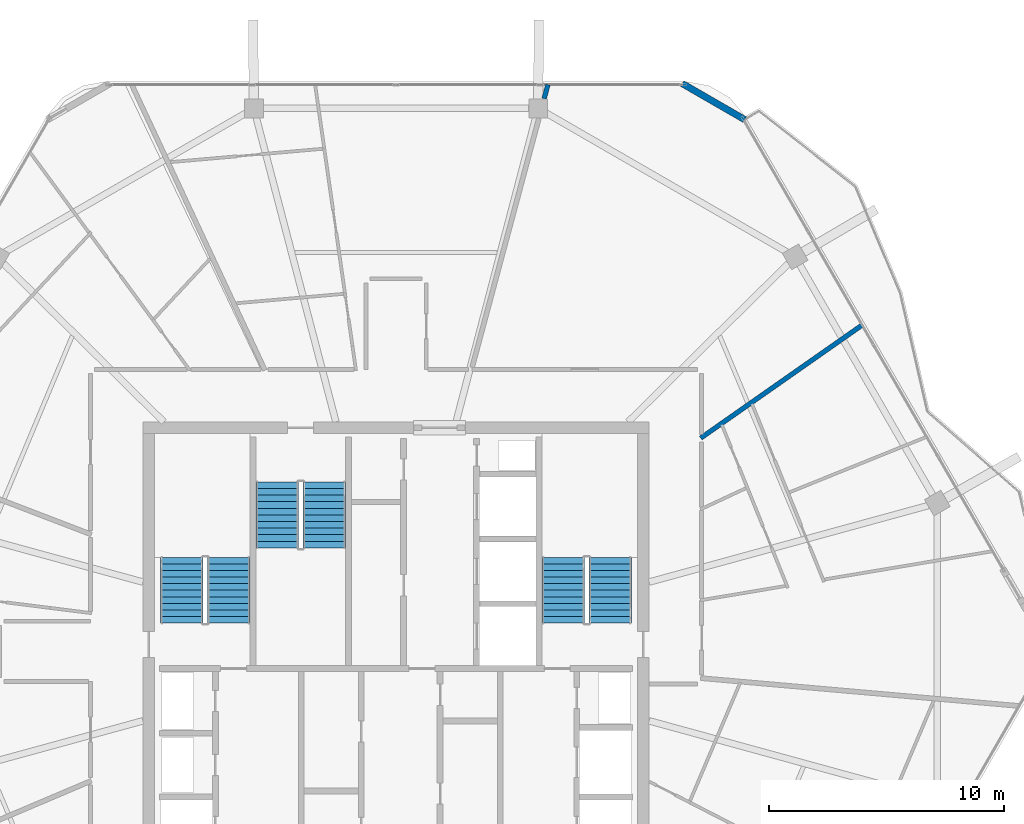
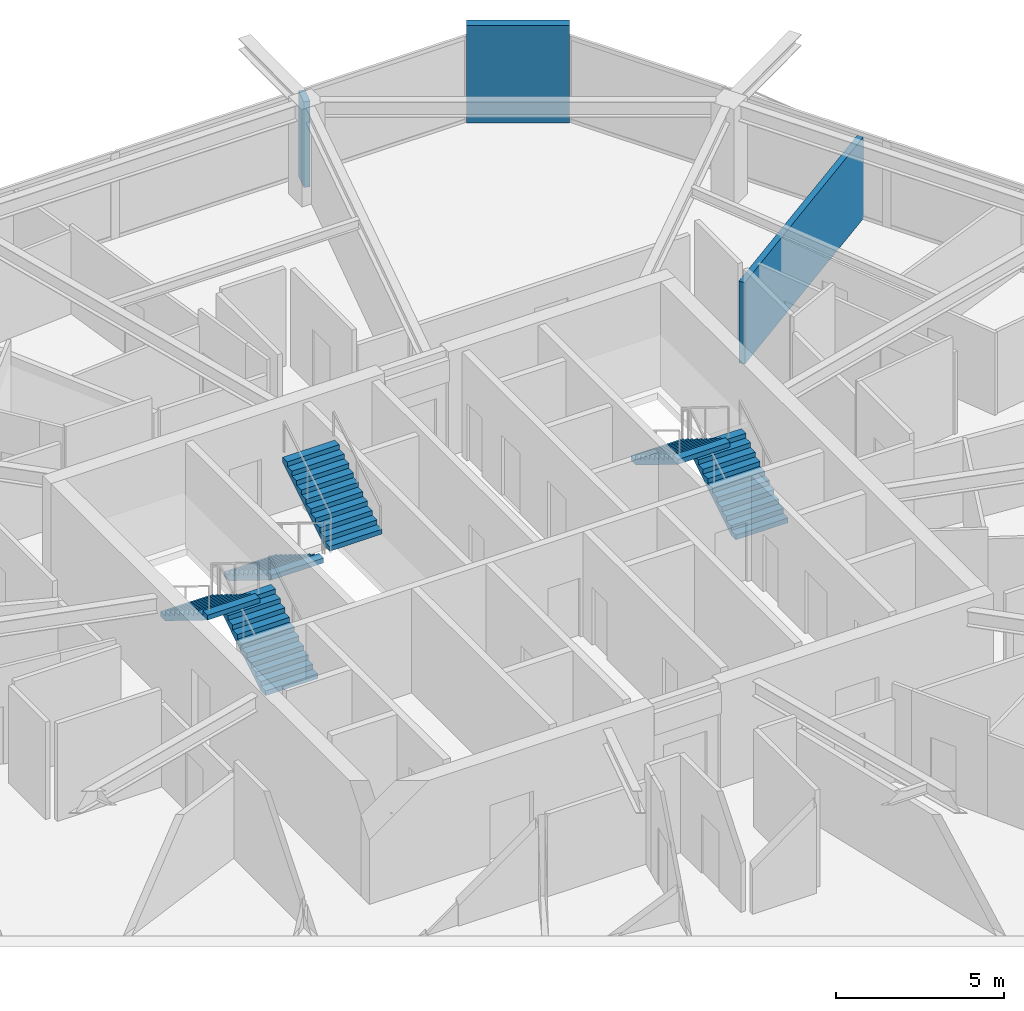
# One storey, part 18 of 21: 6 stair flights, 3 walls, 3 elements without a shape of their own.
"""IFC4 building model written with IfcOpenShell, lengths in metres."""

import ifcopenshell
import ifcopenshell.guid

model = None  # the IFC model being written
_history = None  # IfcOwnerHistory: only IFC2X3 demands one
_inside = {}  # id of a spatial element -> (the spatial element, [elements in it])
_under = {}  # id of a project, library or spatial element -> (it, [spatial elements below it])
_declared = {}  # id of a project -> (the project, [libraries it declares])
_typed = {}  # id of a type object -> (the type object, [elements of that type])
_made_of = {}  # id of a material, layer set ... -> (it, [elements and type objects made of it])


def new_model(schema):
    """Start an empty IFC model of exactly this schema.

    Asked for "IFC4X3", IfcOpenShell would pick the latest addendum, in which some entities
    have other attributes; the version numbers below select the first issue.
    IFC2X3 requires an IfcOwnerHistory on every rooted entity: one is made here for all.
    """
    global model, _history
    if schema == "IFC4X3":
        model = ifcopenshell.file(schema_version=(4, 3, 0, 0))
    else:
        model = ifcopenshell.file(schema=schema)
    _inside.clear()
    _under.clear()
    _declared.clear()
    _typed.clear()
    _made_of.clear()
    _history = None
    if model.schema == "IFC2X3":
        org = make("IfcOrganization", Name="unknown")
        user = make(
            "IfcPersonAndOrganization",
            ThePerson=make("IfcPerson", FamilyName="unknown"),
            TheOrganization=org,
        )
        app = make(
            "IfcApplication",
            ApplicationDeveloper=org,
            Version="unknown",
            ApplicationFullName="unknown",
            ApplicationIdentifier="unknown",
        )
        _history = make(
            "IfcOwnerHistory",
            OwningUser=user,
            OwningApplication=app,
            ChangeAction="ADDED",
            CreationDate=0,
        )
    return model


def make(cls, **values):
    """One entity of the class cls with the attributes given. An attribute that is None is left unset."""
    return model.create_entity(
        cls, **{name: value for name, value in values.items() if value is not None}
    )


def rooted(cls, **values):
    """An entity with a GlobalId (a new one), such as an element, a storey or a relation."""
    return make(cls, GlobalId=ifcopenshell.guid.new(), OwnerHistory=_history, **values)


def si_unit(unit_type, name, prefix=None):
    """IfcSIUnit, for example si_unit("LENGTHUNIT", "METRE", prefix="MILLI")."""
    return make("IfcSIUnit", UnitType=unit_type, Prefix=prefix, Name=name)


def assignment(units):
    """IfcUnitAssignment: the units of a project."""
    return None if units is None else make("IfcUnitAssignment", Units=units)


def point(xyz):
    """IfcCartesianPoint."""
    return None if xyz is None else make("IfcCartesianPoint", Coordinates=xyz)


def direction(xyz):
    """IfcDirection."""
    return None if xyz is None else make("IfcDirection", DirectionRatios=xyz)


def frame(location, z_axis=None, x_axis=None):
    """IfcAxis2Placement3D, a coordinate frame: its origin and axes. An axis left out is left unset."""
    return make(
        "IfcAxis2Placement3D",
        Location=point(location),
        Axis=direction(z_axis),
        RefDirection=direction(x_axis),
    )


def frame_2d(location, x_axis=None):
    """IfcAxis2Placement2D, a coordinate frame in the plane: its origin and x axis."""
    return make(
        "IfcAxis2Placement2D", Location=point(location), RefDirection=direction(x_axis)
    )


def origin():
    """The frame at (0, 0, 0) with its axes left unset."""
    return frame((0.0, 0.0, 0.0))


def place(relative_to, where):
    """IfcLocalPlacement: puts the frame where relative to a parent placement (None: the world)."""
    return make(
        "IfcLocalPlacement", PlacementRelTo=relative_to, RelativePlacement=where
    )


def context(
    kind, dimensions, precision=None, world=None, true_north=None, identifier=None
):
    """IfcGeometricRepresentationContext, for example the 3D "Model" context."""
    return make(
        "IfcGeometricRepresentationContext",
        ContextIdentifier=identifier,
        ContextType=kind,
        CoordinateSpaceDimension=dimensions,
        Precision=precision,
        WorldCoordinateSystem=world,
        TrueNorth=true_north,
    )


def subcontext(parent, identifier, kind, view, scale=None):
    """IfcGeometricRepresentationSubContext, for example "Body" below "Model"."""
    return make(
        "IfcGeometricRepresentationSubContext",
        ContextIdentifier=identifier,
        ContextType=kind,
        ParentContext=parent,
        TargetScale=scale,
        TargetView=view,
    )


def project(units=None, contexts=None):
    """IfcProject with its units and contexts."""
    return rooted(
        "IfcProject",
        Name="project",
        RepresentationContexts=contexts,
        UnitsInContext=assignment(units),
    )


def spatial(cls, under=None, at=None, **own):
    """A site, building, storey or space (cls), placed at a placement, below another one or the project."""
    s = rooted(cls, ObjectPlacement=at, **own)
    if under is not None:
        _under.setdefault(under.id(), (under, []))[1].append(s)
    return s


def polyline(points):
    """IfcPolyline through the points."""
    return make("IfcPolyline", Points=[point(p) for p in points])


def profile(cls, at=None, kind="AREA", **sizes):
    """A parametric profile (cls). Its sizes go by their IFC names, for example OverallWidth=200.0."""
    return make(cls, ProfileType=kind, Position=at, **sizes)


def rectangle(**sizes):
    """IfcRectangleProfileDef."""
    return profile("IfcRectangleProfileDef", **sizes)


def outline(outer, holes=None, kind="AREA"):
    """IfcArbitraryClosedProfileDef: a profile drawn as a closed curve; with holes, ...WithVoids."""
    if holes is None:
        return make("IfcArbitraryClosedProfileDef", ProfileType=kind, OuterCurve=outer)
    return make(
        "IfcArbitraryProfileDefWithVoids",
        ProfileType=kind,
        OuterCurve=outer,
        InnerCurves=holes,
    )


def extrude(swept, where, along, depth):
    """IfcExtrudedAreaSolid: the profile swept, set in the frame where, extruded along a direction by depth."""
    return make(
        "IfcExtrudedAreaSolid",
        SweptArea=swept,
        Position=where,
        ExtrudedDirection=direction(along),
        Depth=depth,
    )


def shape(context_of_items, identifier, shape_type, items):
    """IfcShapeRepresentation: the items that make up one representation, for example the "Body"."""
    return make(
        "IfcShapeRepresentation",
        ContextOfItems=context_of_items,
        RepresentationIdentifier=identifier,
        RepresentationType=shape_type,
        Items=items,
    )


def material(Name=None, Category=None):
    """IfcMaterial."""
    return make("IfcMaterial", Name=Name, Category=Category)


def layer(
    of_material, thickness, ventilated=None, Name=None, Category=None, Priority=None
):
    """IfcMaterialLayer: one layer of a wall or slab, of a material (None: an air gap)."""
    return make(
        "IfcMaterialLayer",
        Material=of_material,
        LayerThickness=thickness,
        IsVentilated=ventilated,
        Name=Name,
        Category=Category,
        Priority=Priority,
    )


def layer_set(layers, Name=None):
    """IfcMaterialLayerSet."""
    return make("IfcMaterialLayerSet", MaterialLayers=layers, LayerSetName=Name)


def made_of(thing, what):
    """Note that an element or type object is made of a material, layer set ...; save() writes the relation."""
    if what is not None:
        _made_of.setdefault(what.id(), (what, []))[1].append(thing)
    return thing


def type_object(cls, material=None, **own):
    """A type object (cls), such as IfcWallType, which elements share."""
    return made_of(rooted(cls, **own), material)


def element(
    cls,
    number,
    at=None,
    inside=None,
    cuts=None,
    type_object=None,
    material=None,
    context=None,
    identifier="Body",
    shape_type=None,
    held_by="IfcProductDefinitionShape",
    body=None,
    shapes=None,
    **own,
):
    """One element of the class cls, such as IfcWall. Its Tag is "e" and its number.

    at: its placement. inside: the storey or other place that contains it. cuts: it is an
    opening in that element (IfcRelVoidsElement). A single representation is given by context,
    identifier, shape_type and body (its items); several are given by shapes. held_by: the class
    of the entity that holds the representations. save() writes the other relations.
    """
    e = rooted(cls, Tag="e%d" % number, ObjectPlacement=at, **own)
    if body is not None:
        shapes = [shape(context, identifier, shape_type, body)]
    if shapes is not None:
        e.Representation = make(held_by, Representations=shapes)
    if inside is not None:
        _inside.setdefault(inside.id(), (inside, []))[1].append(e)
    if cuts is not None:
        rooted(
            "IfcRelVoidsElement", RelatingBuildingElement=cuts, RelatedOpeningElement=e
        )
    if type_object is not None:
        _typed.setdefault(type_object.id(), (type_object, []))[1].append(e)
    return made_of(e, material)


def aggregate(whole, parts):
    """IfcRelAggregates: a whole, such as a stair, and the parts it consists of."""
    return rooted("IfcRelAggregates", RelatingObject=whole, RelatedObjects=parts)


def save(model, path):
    """Write the relations noted so far, then the file.

    IfcRelAggregates (storeys below a building ...), IfcRelContainedInSpatialStructure (elements
    in a storey), IfcRelDefinesByType, IfcRelAssociatesMaterial and IfcRelDeclares: one each for
    every whole, place, type object, material and project.
    """
    for whole, parts in _under.values():
        aggregate(whole, parts)
    for where, things in _inside.values():
        rooted(
            "IfcRelContainedInSpatialStructure",
            RelatedElements=things,
            RelatingStructure=where,
        )
    for kind, things in _typed.values():
        rooted("IfcRelDefinesByType", RelatedObjects=things, RelatingType=kind)
    for what, things in _made_of.values():
        rooted("IfcRelAssociatesMaterial", RelatedObjects=things, RelatingMaterial=what)
    for by, libraries in _declared.values():
        rooted("IfcRelDeclares", RelatingContext=by, RelatedDefinitions=libraries)
    model.write(path)


model = new_model("IFC4")

# Units and contexts
model_context = context("Model", 3, precision=1e-05, world=origin(), true_north=direction((0.0, 1.0)))
body_context = subcontext(model_context, "Body", "Model", "MODEL_VIEW")
ifc_project = project(units=[si_unit("LENGTHUNIT", "METRE"), si_unit("AREAUNIT", "SQUARE_METRE"), si_unit("VOLUMEUNIT", "CUBIC_METRE"), si_unit("PLANEANGLEUNIT", "RADIAN"), si_unit("MASSUNIT", "GRAM", prefix="KILO")], contexts=[model_context])

# Site, building, storey
site_placement = place(None, origin())
site = spatial("IfcSite", under=ifc_project, at=site_placement, CompositionType="ELEMENT")
building_placement = place(site_placement, origin())
building = spatial("IfcBuilding", under=site, at=building_placement, Name="Zuhravey Tower", CompositionType="ELEMENT")
storey_placement = place(building_placement, frame((0.0, 0.0, 319.60009765625)))
storey = spatial("IfcBuildingStorey", under=building, at=storey_placement, Name="L81", CompositionType="ELEMENT", Elevation=319.60009765625)

# Walls
ifc_material_1 = material(Name="Precast concrete C40/50", Category="concrete")
ifc_layer_1 = layer(ifc_material_1, 0.280029296875)
ifc_layer_set_1 = layer_set([ifc_layer_1], Name="Precast concrete C40/50")
wall_type_1 = type_object("IfcWallType", Name="Crown Architectural Wall 280", PredefinedType="SOLIDWALL", material=ifc_layer_set_1)
wall_1_placement = place(storey_placement, frame((48.156982421875, 56.12158203125, 0.0), z_axis=(0.0, 0.0, 1.0), x_axis=(0.866023752521, -0.50000286006, 0.0)))
element("IfcWall", 1, at=wall_1_placement, inside=storey, type_object=wall_type_1, Name="L81 Rounded Corner Closure Wall EW28-10", PredefinedType="SOLIDWALL", context=body_context, shape_type="SweptSolid", body=[
    extrude(rectangle(XDim=3.06494140625, YDim=0.280029296875, at=frame_2d((1.532470703125, 0.0))), origin(), (0.0, 0.0, 1.0), 3.5498046875),
])
ifc_material_2 = material(Name="Gypsum double-stud party assembly")
ifc_layer_2 = layer(ifc_material_2, 0.199951171875)
ifc_layer_set_2 = layer_set([ifc_layer_2], Name="Gypsum double-stud party assembly")
wall_type_2 = type_object("IfcWallType", Name="Inter-Tenancy Party Wall 200", PredefinedType="PARTITIONING", material=ifc_layer_set_2)
wall_2_placement = place(storey_placement, frame((48.93994140625, 41.060791015625, 0.0), z_axis=(0.0, 0.0, 1.0), x_axis=(0.819159279368, 0.573566103448, 0.0)))
element("IfcWall", 2, at=wall_2_placement, inside=storey, type_object=wall_type_2, Name="L81 IW20 Partition 087", PredefinedType="PARTITIONING", context=body_context, shape_type="SweptSolid", body=[
    extrude(rectangle(XDim=8.369140625, YDim=0.199951171875, at=frame_2d((4.1845703125, 0.0))), origin(), (0.0, 0.0, 1.0), 2.969970703125),
])
wall_3_placement = place(storey_placement, frame((42.29248046875, 55.484130859375, 0.0), z_axis=(0.0, 0.0, 1.0), x_axis=(0.258955805871, 0.965889170974, 0.0)))
element("IfcWall", 3, at=wall_3_placement, inside=storey, type_object=wall_type_2, Name="L81 IW20 Partition 089", PredefinedType="PARTITIONING", context=body_context, shape_type="SweptSolid", body=[
    extrude(rectangle(XDim=0.61083984375, YDim=0.199951171875, at=frame_2d((0.305419921875, 0.0))), origin(), (0.0, 0.0, 1.0), 3.121826171875),
])

# Stair, stair flights
ifc_material_3 = material(Name="Concrete C40/50", Category="concrete")
stair_type = type_object("IfcStairType", Name="Housing Storey Stair Assembly 3800", PredefinedType="HALF_TURN_STAIR", material=ifc_material_3)
stair_1_placement = place(storey_placement, origin())
stair_1 = element("IfcStair", 4, at=stair_1_placement, inside=storey, type_object=stair_type, Name="L81 Core Exit Stair ST1", PredefinedType="HALF_TURN_STAIR")
stair_flight_type = type_object("IfcStairFlightType", Name="Housing Storey Stair Flight 3800", PredefinedType="STRAIGHT", material=ifc_material_3)
stair_flight_1_placement = place(storey_placement, frame((28.89990234375, 33.199951171875, 0.0), z_axis=(0.0, 0.0, 1.0), x_axis=(0.0, 1.0, 0.0)))
stair_flight_1 = element("IfcStairFlight", 5, at=stair_flight_1_placement, type_object=stair_flight_type, Name="ST1 flight 1", NumberOfRisers=11, NumberOfTreads=10, PredefinedType="STRAIGHT", RiserHeight=0.172727273, TreadLength=0.28, context=body_context, shape_type="SweptSolid", body=[
    extrude(outline(polyline([(0.0, 0.0), (0.0, 0.172607421875), (0.280029296875, 0.172607421875), (0.280029296875, 0.345458984375), (0.56005859375, 0.345458984375), (0.56005859375, 0.51806640625), (0.840087890625, 0.51806640625), (0.840087890625, 0.69091796875), (1.1201171875, 0.69091796875), (1.1201171875, 0.863525390625), (1.39990234375, 0.863525390625), (1.39990234375, 1.036376953125), (1.679931640625, 1.036376953125), (1.679931640625, 1.208984375), (1.9599609375, 1.208984375), (1.9599609375, 1.3818359375), (2.239990234375, 1.3818359375), (2.239990234375, 1.554443359375), (2.52001953125, 1.554443359375), (2.52001953125, 1.727294921875), (2.800048828125, 1.727294921875), (2.800048828125, 1.89990234375), (2.800048828125, 1.551025390625), (0.285400390625, 0.0), (0.0, 0.0)])), frame((0.0, 0.89990234375, 0.0), z_axis=(0.0, -1.0, 0.0), x_axis=(1.0, 0.0, 0.0)), (0.0, 0.0, 1.0), 1.800048828125),
])
stair_flight_2_placement = place(storey_placement, frame((26.89990234375, 36.0, 1.89990234375), z_axis=(0.0, 0.0, 1.0), x_axis=(0.0, -1.0, 0.0)))
stair_flight_2 = element("IfcStairFlight", 6, at=stair_flight_2_placement, type_object=stair_flight_type, Name="ST1 flight 2", NumberOfRisers=11, NumberOfTreads=10, PredefinedType="STRAIGHT", RiserHeight=0.172727273, TreadLength=0.28, context=body_context, shape_type="SweptSolid", body=[
    extrude(outline(polyline([(0.0, 0.0), (0.0, 0.172607421875), (0.280029296875, 0.172607421875), (0.280029296875, 0.345458984375), (0.56005859375, 0.345458984375), (0.56005859375, 0.51806640625), (0.840087890625, 0.51806640625), (0.840087890625, 0.69091796875), (1.1201171875, 0.69091796875), (1.1201171875, 0.863525390625), (1.39990234375, 0.863525390625), (1.39990234375, 1.036376953125), (1.679931640625, 1.036376953125), (1.679931640625, 1.208984375), (1.9599609375, 1.208984375), (1.9599609375, 1.3818359375), (2.239990234375, 1.3818359375), (2.239990234375, 1.554443359375), (2.52001953125, 1.554443359375), (2.52001953125, 1.727294921875), (2.800048828125, 1.727294921875), (2.800048828125, 1.89990234375), (2.800048828125, 1.551025390625), (0.285400390625, 0.0), (0.0, 0.0)])), frame((0.0, 0.89990234375, 0.0), z_axis=(0.0, -1.0, 0.0), x_axis=(1.0, 0.0, 0.0)), (0.0, 0.0, 1.0), 1.800048828125),
])
aggregate(stair_1, [stair_flight_1, stair_flight_2])

stair_2_placement = place(storey_placement, origin())
stair_2 = element("IfcStair", 7, at=stair_2_placement, inside=storey, type_object=stair_type, Name="L81 Core Exit Stair ST2", PredefinedType="HALF_TURN_STAIR")
stair_flight_3_placement = place(storey_placement, frame((45.10009765625, 33.199951171875, 0.0), z_axis=(0.0, 0.0, 1.0), x_axis=(0.0, 1.0, 0.0)))
stair_flight_3 = element("IfcStairFlight", 8, at=stair_flight_3_placement, type_object=stair_flight_type, Name="ST2 flight 1", NumberOfRisers=11, NumberOfTreads=10, PredefinedType="STRAIGHT", RiserHeight=0.172727273, TreadLength=0.28, context=body_context, shape_type="SweptSolid", body=[
    extrude(outline(polyline([(0.0, 0.0), (0.0, 0.172607421875), (0.280029296875, 0.172607421875), (0.280029296875, 0.345458984375), (0.56005859375, 0.345458984375), (0.56005859375, 0.51806640625), (0.840087890625, 0.51806640625), (0.840087890625, 0.69091796875), (1.1201171875, 0.69091796875), (1.1201171875, 0.863525390625), (1.39990234375, 0.863525390625), (1.39990234375, 1.036376953125), (1.679931640625, 1.036376953125), (1.679931640625, 1.208984375), (1.9599609375, 1.208984375), (1.9599609375, 1.3818359375), (2.239990234375, 1.3818359375), (2.239990234375, 1.554443359375), (2.52001953125, 1.554443359375), (2.52001953125, 1.727294921875), (2.800048828125, 1.727294921875), (2.800048828125, 1.89990234375), (2.800048828125, 1.551025390625), (0.285400390625, 0.0), (0.0, 0.0)])), frame((0.0, 0.89990234375, 0.0), z_axis=(0.0, -1.0, 0.0), x_axis=(1.0, 0.0, 0.0)), (0.0, 0.0, 1.0), 1.800048828125),
])
stair_flight_4_placement = place(storey_placement, frame((43.10009765625, 36.0, 1.89990234375), z_axis=(0.0, 0.0, 1.0), x_axis=(0.0, -1.0, 0.0)))
stair_flight_4 = element("IfcStairFlight", 9, at=stair_flight_4_placement, type_object=stair_flight_type, Name="ST2 flight 2", NumberOfRisers=11, NumberOfTreads=10, PredefinedType="STRAIGHT", RiserHeight=0.172727273, TreadLength=0.28, context=body_context, shape_type="SweptSolid", body=[
    extrude(outline(polyline([(0.0, 0.0), (0.0, 0.172607421875), (0.280029296875, 0.172607421875), (0.280029296875, 0.345458984375), (0.56005859375, 0.345458984375), (0.56005859375, 0.51806640625), (0.840087890625, 0.51806640625), (0.840087890625, 0.69091796875), (1.1201171875, 0.69091796875), (1.1201171875, 0.863525390625), (1.39990234375, 0.863525390625), (1.39990234375, 1.036376953125), (1.679931640625, 1.036376953125), (1.679931640625, 1.208984375), (1.9599609375, 1.208984375), (1.9599609375, 1.3818359375), (2.239990234375, 1.3818359375), (2.239990234375, 1.554443359375), (2.52001953125, 1.554443359375), (2.52001953125, 1.727294921875), (2.800048828125, 1.727294921875), (2.800048828125, 1.89990234375), (2.800048828125, 1.551025390625), (0.285400390625, 0.0), (0.0, 0.0)])), frame((0.0, 0.89990234375, 0.0), z_axis=(0.0, -1.0, 0.0), x_axis=(1.0, 0.0, 0.0)), (0.0, 0.0, 1.0), 1.800048828125),
])
aggregate(stair_2, [stair_flight_3, stair_flight_4])

stair_3_placement = place(storey_placement, origin())
stair_3 = element("IfcStair", 10, at=stair_3_placement, inside=storey, type_object=stair_type, Name="L81 Core Exit Stair ST3", PredefinedType="HALF_TURN_STAIR")
stair_flight_5_placement = place(storey_placement, frame((30.949951171875, 39.199951171875, 0.0), z_axis=(0.0, 0.0, 1.0), x_axis=(0.0, -1.0, 0.0)))
stair_flight_5 = element("IfcStairFlight", 11, at=stair_flight_5_placement, type_object=stair_flight_type, Name="ST3 flight 1", NumberOfRisers=11, NumberOfTreads=10, PredefinedType="STRAIGHT", RiserHeight=0.172727273, TreadLength=0.28, context=body_context, shape_type="SweptSolid", body=[
    extrude(outline(polyline([(0.0, 0.0), (0.0, 0.172607421875), (0.280029296875, 0.172607421875), (0.280029296875, 0.345458984375), (0.56005859375, 0.345458984375), (0.56005859375, 0.51806640625), (0.840087890625, 0.51806640625), (0.840087890625, 0.69091796875), (1.1201171875, 0.69091796875), (1.1201171875, 0.863525390625), (1.39990234375, 0.863525390625), (1.39990234375, 1.036376953125), (1.679931640625, 1.036376953125), (1.679931640625, 1.208984375), (1.9599609375, 1.208984375), (1.9599609375, 1.3818359375), (2.239990234375, 1.3818359375), (2.239990234375, 1.554443359375), (2.52001953125, 1.554443359375), (2.52001953125, 1.727294921875), (2.800048828125, 1.727294921875), (2.800048828125, 1.89990234375), (2.800048828125, 1.551025390625), (0.285400390625, 0.0), (0.0, 0.0)])), frame((0.0, 0.89990234375, 0.0), z_axis=(0.0, -1.0, 0.0), x_axis=(1.0, 0.0, 0.0)), (0.0, 0.0, 1.0), 1.800048828125),
])
stair_flight_6_placement = place(storey_placement, frame((32.949951171875, 36.39990234375, 1.89990234375), z_axis=(0.0, 0.0, 1.0), x_axis=(0.0, 1.0, 0.0)))
stair_flight_6 = element("IfcStairFlight", 12, at=stair_flight_6_placement, type_object=stair_flight_type, Name="ST3 flight 2", NumberOfRisers=11, NumberOfTreads=10, PredefinedType="STRAIGHT", RiserHeight=0.172727273, TreadLength=0.28, context=body_context, shape_type="SweptSolid", body=[
    extrude(outline(polyline([(0.0, 0.0), (0.0, 0.172607421875), (0.280029296875, 0.172607421875), (0.280029296875, 0.345458984375), (0.56005859375, 0.345458984375), (0.56005859375, 0.51806640625), (0.840087890625, 0.51806640625), (0.840087890625, 0.69091796875), (1.1201171875, 0.69091796875), (1.1201171875, 0.863525390625), (1.39990234375, 0.863525390625), (1.39990234375, 1.036376953125), (1.679931640625, 1.036376953125), (1.679931640625, 1.208984375), (1.9599609375, 1.208984375), (1.9599609375, 1.3818359375), (2.239990234375, 1.3818359375), (2.239990234375, 1.554443359375), (2.52001953125, 1.554443359375), (2.52001953125, 1.727294921875), (2.800048828125, 1.727294921875), (2.800048828125, 1.89990234375), (2.800048828125, 1.551025390625), (0.285400390625, 0.0), (0.0, 0.0)])), frame((0.0, 0.89990234375, 0.0), z_axis=(0.0, -1.0, 0.0), x_axis=(1.0, 0.0, 0.0)), (0.0, 0.0, 1.0), 1.800048828125),
])
aggregate(stair_3, [stair_flight_5, stair_flight_6])

save(model, "model.ifc")
